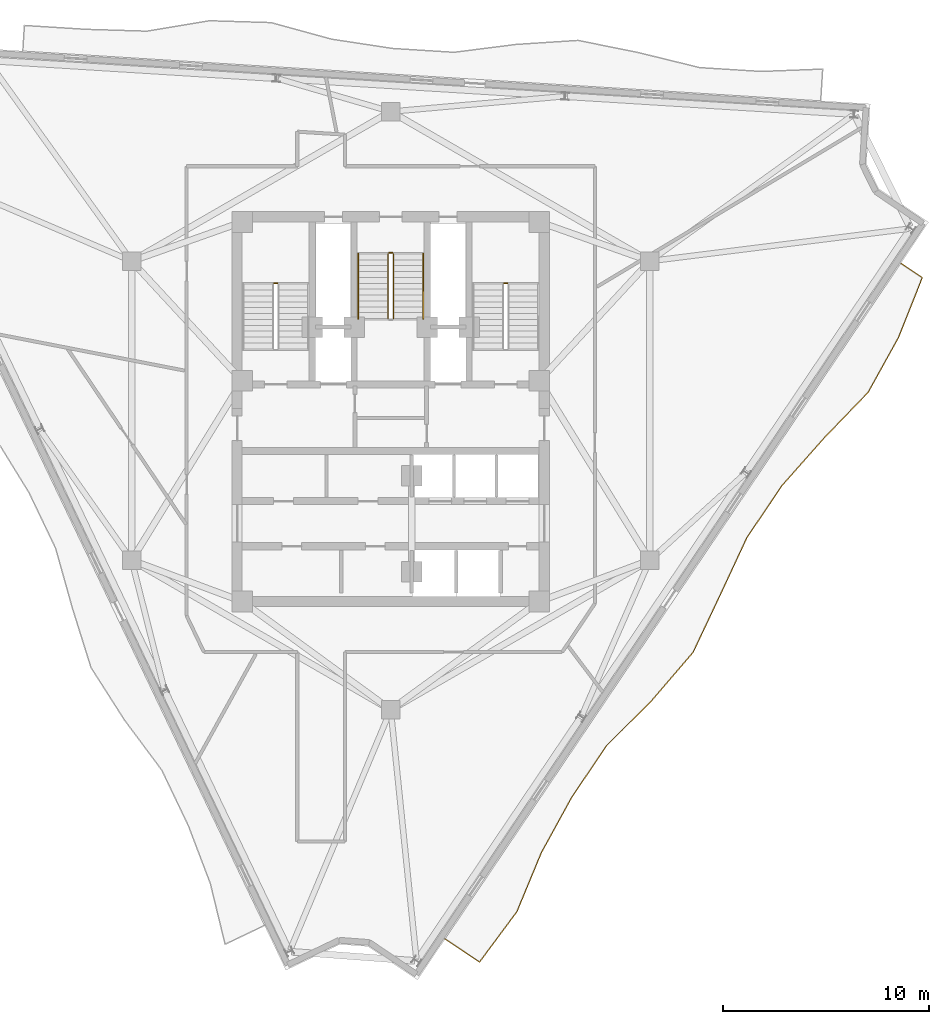
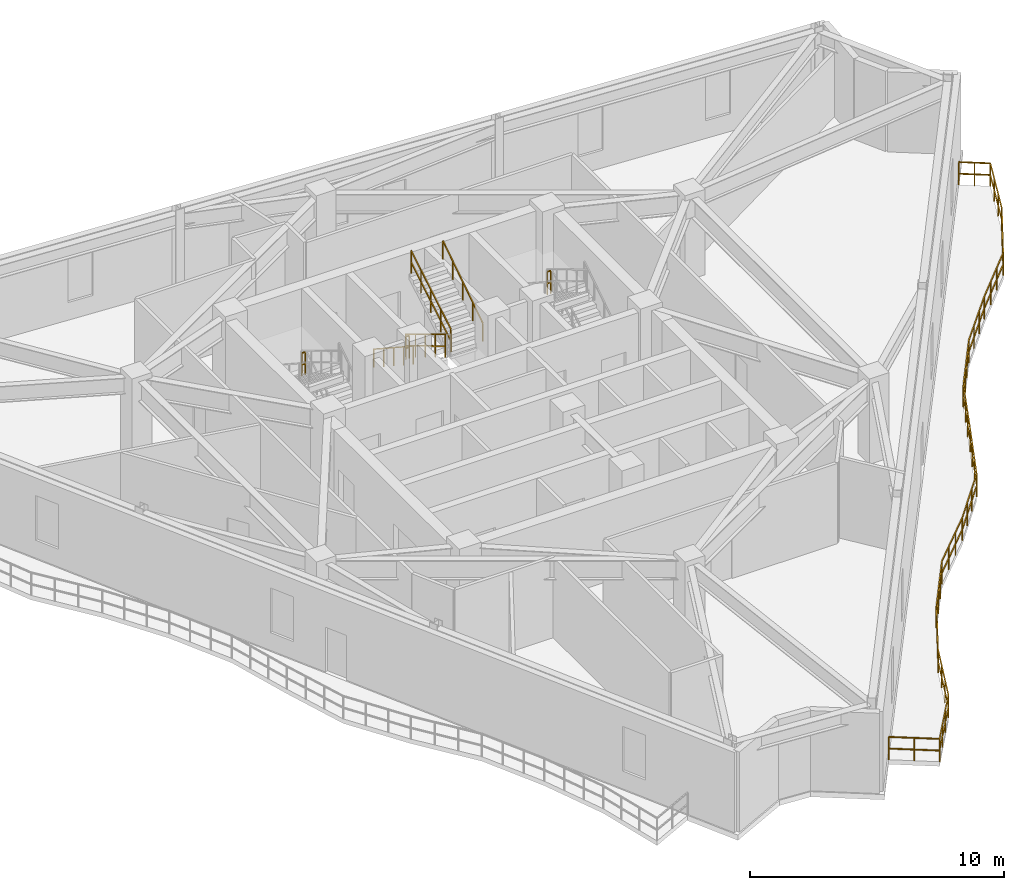
# One storey, part 9 of 10: 8 railings.
"""IFC4 building model written with IfcOpenShell, lengths in metres."""

from ifc_helpers import new_model, si_unit, direction, frame, origin, origin_2d, place, context, subcontext, project, spatial, rectangle, extrude, material, type_object, element, save


model = new_model("IFC4")

# Units and contexts
model_context = context("Model", 3, precision=1e-05, world=origin(), true_north=direction((0.0, 1.0)))
body_context = subcontext(model_context, "Body", "Model", "MODEL_VIEW")
ifc_project = project(units=[si_unit("LENGTHUNIT", "METRE"), si_unit("AREAUNIT", "SQUARE_METRE"), si_unit("VOLUMEUNIT", "CUBIC_METRE"), si_unit("PLANEANGLEUNIT", "RADIAN"), si_unit("MASSUNIT", "GRAM", prefix="KILO")], contexts=[model_context])

# Site, building, storey
site_placement = place(None, origin())
site = spatial("IfcSite", under=ifc_project, at=site_placement, CompositionType="ELEMENT")
building_placement = place(site_placement, origin())
building = spatial("IfcBuilding", under=site, at=building_placement, Name="Apsidion Concourse Tower", CompositionType="ELEMENT")
storey_placement = place(building_placement, frame((0.0, 0.0, 298.300048828125)))
storey = spatial("IfcBuildingStorey", under=building, at=storey_placement, Name="L70", CompositionType="ELEMENT", Elevation=298.300048828125)

# Railings
ifc_material = material(Name="Brushed stainless steel 316", Category="steel")
railing_type_1 = type_object("IfcRailingType", Name="RL-BAL-1120", PredefinedType="BALUSTRADE", material=ifc_material)
railing_1_placement = place(storey_placement, frame((24.735595703125, 7.147216796875, 0.0)))
element("IfcRailing", 1, at=railing_1_placement, inside=storey, type_object=railing_type_1, Name="L70 Face 2 Rippling Balcony Balustrade", PredefinedType="BALUSTRADE", context=body_context, shape_type="SweptSolid", body=[
    extrude(rectangle(XDim=0.048095703125, YDim=0.048095703125, at=origin_2d()), frame((0.0, 0.0, 1.09619140625), z_axis=(0.829002629562, -0.559244705098, 0.0), x_axis=(0.559244705098, 0.829002629562, 0.0)), (0.0, 0.0, 1.0), 1.249755859375),
    extrude(rectangle(XDim=0.048095703125, YDim=0.048095703125, at=origin_2d()), frame((0.0, 0.0, 0.5361328125), z_axis=(0.829002629562, -0.559244705098, 0.0), x_axis=(0.559244705098, 0.829002629562, 0.0)), (0.0, 0.0, 1.0), 1.249755859375),
    extrude(rectangle(XDim=0.048095703125, YDim=0.048095703125, at=origin_2d()), frame((1.0361328125, -0.698974609375, 1.09619140625), z_axis=(-0.368670137934, -0.929560288198, 0.0), x_axis=(0.929560288198, -0.368670137934, 0.0)), (0.0, 0.0, 1.0), 3.11181640625),
    extrude(rectangle(XDim=0.048095703125, YDim=0.048095703125, at=origin_2d()), frame((1.0361328125, -0.698974609375, 0.5361328125), z_axis=(-0.368670137934, -0.929560288198, 0.0), x_axis=(0.929560288198, -0.368670137934, 0.0)), (0.0, 0.0, 1.0), 3.11181640625),
    extrude(rectangle(XDim=0.048095703125, YDim=0.048095703125, at=origin_2d()), frame((-0.111083984375, -3.591552734375, 1.09619140625), z_axis=(-0.484297291497, -0.874903499507, 0.0), x_axis=(0.874903499507, -0.484297291497, 0.0)), (0.0, 0.0, 1.0), 3.051513671875),
    extrude(rectangle(XDim=0.048095703125, YDim=0.048095703125, at=origin_2d()), frame((-0.111083984375, -3.591552734375, 0.5361328125), z_axis=(-0.484297291497, -0.874903499507, 0.0), x_axis=(0.874903499507, -0.484297291497, 0.0)), (0.0, 0.0, 1.0), 3.051513671875),
    extrude(rectangle(XDim=0.048095703125, YDim=0.048095703125, at=origin_2d()), frame((-1.5888671875, -6.26123046875, 1.09619140625), z_axis=(-0.69405357776, -0.719923350919, 0.0), x_axis=(0.719923350919, -0.69405357776, 0.0)), (0.0, 0.0, 1.0), 3.0859375),
    extrude(rectangle(XDim=0.048095703125, YDim=0.048095703125, at=origin_2d()), frame((-1.5888671875, -6.26123046875, 0.5361328125), z_axis=(-0.69405357776, -0.719923350919, 0.0), x_axis=(0.719923350919, -0.69405357776, 0.0)), (0.0, 0.0, 1.0), 3.0859375),
    extrude(rectangle(XDim=0.048095703125, YDim=0.048095703125, at=origin_2d()), frame((-3.730712890625, -8.48291015625, 1.09619140625), z_axis=(-0.662755986092, -0.748835431119, 0.0), x_axis=(0.748835431119, -0.662755986092, 0.0)), (0.0, 0.0, 1.0), 3.06591796875),
    extrude(rectangle(XDim=0.048095703125, YDim=0.048095703125, at=origin_2d()), frame((-3.730712890625, -8.48291015625, 0.5361328125), z_axis=(-0.662755986092, -0.748835431119, 0.0), x_axis=(0.748835431119, -0.662755986092, 0.0)), (0.0, 0.0, 1.0), 3.06591796875),
    extrude(rectangle(XDim=0.048095703125, YDim=0.048095703125, at=origin_2d()), frame((-5.7626953125, -10.77880859375, 1.09619140625), z_axis=(-0.559214853397, -0.82902276672, 0.0), x_axis=(0.82902276672, -0.559214853397, 0.0)), (0.0, 0.0, 1.0), 3.03955078125),
    extrude(rectangle(XDim=0.048095703125, YDim=0.048095703125, at=origin_2d()), frame((-5.7626953125, -10.77880859375, 0.5361328125), z_axis=(-0.559214853397, -0.82902276672, 0.0), x_axis=(0.82902276672, -0.559214853397, 0.0)), (0.0, 0.0, 1.0), 3.03955078125),
    extrude(rectangle(XDim=0.048095703125, YDim=0.048095703125, at=origin_2d()), frame((-7.46240234375, -13.298583984375, 1.09619140625), z_axis=(-0.422420733897, -0.906399869579, 0.0), x_axis=(0.906399869579, -0.422420733897, 0.0)), (0.0, 0.0, 1.0), 3.07763671875),
    extrude(rectangle(XDim=0.048095703125, YDim=0.048095703125, at=origin_2d()), frame((-7.46240234375, -13.298583984375, 0.5361328125), z_axis=(-0.422420733897, -0.906399869579, 0.0), x_axis=(0.906399869579, -0.422420733897, 0.0)), (0.0, 0.0, 1.0), 3.07763671875),
    extrude(rectangle(XDim=0.048095703125, YDim=0.048095703125, at=origin_2d()), frame((-8.762451171875, -16.088134765625, 1.09619140625), z_axis=(-0.427318260239, -0.904101268922, 0.0), x_axis=(0.904101268922, -0.427318260239, 0.0)), (0.0, 0.0, 1.0), 3.074951171875),
    extrude(rectangle(XDim=0.048095703125, YDim=0.048095703125, at=origin_2d()), frame((-8.762451171875, -16.088134765625, 0.5361328125), z_axis=(-0.427318260239, -0.904101268922, 0.0), x_axis=(0.904101268922, -0.427318260239, 0.0)), (0.0, 0.0, 1.0), 3.074951171875),
    extrude(rectangle(XDim=0.048095703125, YDim=0.048095703125, at=origin_2d()), frame((-10.076416015625, -18.8681640625, 1.09619140625), z_axis=(-0.651027874494, -0.759053823277, 0.0), x_axis=(0.759053823277, -0.651027874494, 0.0)), (0.0, 0.0, 1.0), 3.06005859375),
    extrude(rectangle(XDim=0.048095703125, YDim=0.048095703125, at=origin_2d()), frame((-10.076416015625, -18.8681640625, 0.5361328125), z_axis=(-0.651027874494, -0.759053823277, 0.0), x_axis=(0.759053823277, -0.651027874494, 0.0)), (0.0, 0.0, 1.0), 3.06005859375),
    extrude(rectangle(XDim=0.048095703125, YDim=0.048095703125, at=origin_2d()), frame((-12.068603515625, -21.19091796875, 1.09619140625), z_axis=(-0.707933967057, -0.706278626526, 0.0), x_axis=(0.706278626526, -0.707933967057, 0.0)), (0.0, 0.0, 1.0), 3.09716796875),
    extrude(rectangle(XDim=0.048095703125, YDim=0.048095703125, at=origin_2d()), frame((-12.068603515625, -21.19091796875, 0.5361328125), z_axis=(-0.707933967057, -0.706278626526, 0.0), x_axis=(0.706278626526, -0.707933967057, 0.0)), (0.0, 0.0, 1.0), 3.09716796875),
    extrude(rectangle(XDim=0.048095703125, YDim=0.048095703125, at=origin_2d()), frame((-14.26123046875, -23.37841796875, 1.09619140625), z_axis=(-0.559214853397, -0.82902276672, 0.0), x_axis=(0.82902276672, -0.559214853397, 0.0)), (0.0, 0.0, 1.0), 3.03955078125),
    extrude(rectangle(XDim=0.048095703125, YDim=0.048095703125, at=origin_2d()), frame((-14.26123046875, -23.37841796875, 0.5361328125), z_axis=(-0.559214853397, -0.82902276672, 0.0), x_axis=(0.82902276672, -0.559214853397, 0.0)), (0.0, 0.0, 1.0), 3.03955078125),
    extrude(rectangle(XDim=0.048095703125, YDim=0.048095703125, at=origin_2d()), frame((-15.9609375, -25.898193359375, 1.09619140625), z_axis=(-0.480834594688, -0.876811320953, 0.0), x_axis=(0.876811320953, -0.480834594688, 0.0)), (0.0, 0.0, 1.0), 3.052490234375),
    extrude(rectangle(XDim=0.048095703125, YDim=0.048095703125, at=origin_2d()), frame((-15.9609375, -25.898193359375, 0.5361328125), z_axis=(-0.480834594688, -0.876811320953, 0.0), x_axis=(0.876811320953, -0.480834594688, 0.0)), (0.0, 0.0, 1.0), 3.052490234375),
    extrude(rectangle(XDim=0.048095703125, YDim=0.048095703125, at=origin_2d()), frame((-17.4287109375, -28.57470703125, 1.09619140625), z_axis=(-0.383128064307, -0.923695234555, 0.0), x_axis=(0.923695234555, -0.383128064307, 0.0)), (0.0, 0.0, 1.0), 3.101318359375),
    extrude(rectangle(XDim=0.048095703125, YDim=0.048095703125, at=origin_2d()), frame((-17.4287109375, -28.57470703125, 0.5361328125), z_axis=(-0.383128064307, -0.923695234555, 0.0), x_axis=(0.923695234555, -0.383128064307, 0.0)), (0.0, 0.0, 1.0), 3.101318359375),
    extrude(rectangle(XDim=0.048095703125, YDim=0.048095703125, at=origin_2d()), frame((-18.616943359375, -31.439453125, 1.09619140625), z_axis=(-0.595935398915, -0.803032378127, 0.0), x_axis=(0.803032378127, -0.595935398915, 0.0)), (0.0, 0.0, 1.0), 3.042724609375),
    extrude(rectangle(XDim=0.048095703125, YDim=0.048095703125, at=origin_2d()), frame((-18.616943359375, -31.439453125, 0.5361328125), z_axis=(-0.595935398915, -0.803032378127, 0.0), x_axis=(0.803032378127, -0.595935398915, 0.0)), (0.0, 0.0, 1.0), 3.042724609375),
    extrude(rectangle(XDim=0.048095703125, YDim=0.048095703125, at=origin_2d()), frame((-20.43017578125, -33.8828125, 1.09619140625), z_axis=(-0.829028905796, 0.559205752254, 0.0), x_axis=(-0.559205752254, -0.829028905796, 0.0)), (0.0, 0.0, 1.0), 2.009521484375),
    extrude(rectangle(XDim=0.048095703125, YDim=0.048095703125, at=origin_2d()), frame((-20.43017578125, -33.8828125, 0.5361328125), z_axis=(-0.829028905796, 0.559205752254, 0.0), x_axis=(-0.559205752254, -0.829028905796, 0.0)), (0.0, 0.0, 1.0), 2.009521484375),
    extrude(rectangle(XDim=0.0419921875, YDim=0.0419921875, at=origin_2d()), origin(), (0.0, 0.0, 1.0), 1.072021484375),
    extrude(rectangle(XDim=0.0419921875, YDim=0.0419921875, at=origin_2d()), frame((0.51806640625, -0.349609375, 0.0)), (0.0, 0.0, 1.0), 1.072021484375),
    extrude(rectangle(XDim=0.0419921875, YDim=0.0419921875, at=origin_2d()), frame((1.0361328125, -0.698974609375, 0.0)), (0.0, 0.0, 1.0), 1.072021484375),
    extrude(rectangle(XDim=0.0419921875, YDim=0.0419921875, at=origin_2d()), frame((0.65380859375, -1.6630859375, 0.0)), (0.0, 0.0, 1.0), 1.072021484375),
    extrude(rectangle(XDim=0.0419921875, YDim=0.0419921875, at=origin_2d()), frame((0.271240234375, -2.62744140625, 0.0)), (0.0, 0.0, 1.0), 1.072021484375),
    extrude(rectangle(XDim=0.0419921875, YDim=0.0419921875, at=origin_2d()), frame((-0.111083984375, -3.591552734375, 0.0)), (0.0, 0.0, 1.0), 1.072021484375),
    extrude(rectangle(XDim=0.0419921875, YDim=0.0419921875, at=origin_2d()), frame((-0.603759765625, -4.4814453125, 0.0)), (0.0, 0.0, 1.0), 1.072021484375),
    extrude(rectangle(XDim=0.0419921875, YDim=0.0419921875, at=origin_2d()), frame((-1.09619140625, -5.371337890625, 0.0)), (0.0, 0.0, 1.0), 1.072021484375),
    extrude(rectangle(XDim=0.0419921875, YDim=0.0419921875, at=origin_2d()), frame((-1.5888671875, -6.26123046875, 0.0)), (0.0, 0.0, 1.0), 1.072021484375),
    extrude(rectangle(XDim=0.0419921875, YDim=0.0419921875, at=origin_2d()), frame((-2.302734375, -7.001708984375, 0.0)), (0.0, 0.0, 1.0), 1.072021484375),
    extrude(rectangle(XDim=0.0419921875, YDim=0.0419921875, at=origin_2d()), frame((-3.016845703125, -7.742431640625, 0.0)), (0.0, 0.0, 1.0), 1.072021484375),
    extrude(rectangle(XDim=0.0419921875, YDim=0.0419921875, at=origin_2d()), frame((-3.730712890625, -8.48291015625, 0.0)), (0.0, 0.0, 1.0), 1.072021484375),
    extrude(rectangle(XDim=0.0419921875, YDim=0.0419921875, at=origin_2d()), frame((-4.407958984375, -9.248291015625, 0.0)), (0.0, 0.0, 1.0), 1.072021484375),
    extrude(rectangle(XDim=0.0419921875, YDim=0.0419921875, at=origin_2d()), frame((-5.08544921875, -10.013427734375, 0.0)), (0.0, 0.0, 1.0), 1.072021484375),
    extrude(rectangle(XDim=0.0419921875, YDim=0.0419921875, at=origin_2d()), frame((-5.7626953125, -10.77880859375, 0.0)), (0.0, 0.0, 1.0), 1.072021484375),
    extrude(rectangle(XDim=0.0419921875, YDim=0.0419921875, at=origin_2d()), frame((-6.329345703125, -11.61865234375, 0.0)), (0.0, 0.0, 1.0), 1.072021484375),
    extrude(rectangle(XDim=0.0419921875, YDim=0.0419921875, at=origin_2d()), frame((-6.895751953125, -12.458740234375, 0.0)), (0.0, 0.0, 1.0), 1.072021484375),
    extrude(rectangle(XDim=0.0419921875, YDim=0.0419921875, at=origin_2d()), frame((-7.46240234375, -13.298583984375, 0.0)), (0.0, 0.0, 1.0), 1.072021484375),
    extrude(rectangle(XDim=0.0419921875, YDim=0.0419921875, at=origin_2d()), frame((-7.895751953125, -14.228515625, 0.0)), (0.0, 0.0, 1.0), 1.072021484375),
    extrude(rectangle(XDim=0.0419921875, YDim=0.0419921875, at=origin_2d()), frame((-8.3291015625, -15.158203125, 0.0)), (0.0, 0.0, 1.0), 1.072021484375),
    extrude(rectangle(XDim=0.0419921875, YDim=0.0419921875, at=origin_2d()), frame((-8.762451171875, -16.088134765625, 0.0)), (0.0, 0.0, 1.0), 1.072021484375),
    extrude(rectangle(XDim=0.0419921875, YDim=0.0419921875, at=origin_2d()), frame((-9.200439453125, -17.014892578125, 0.0)), (0.0, 0.0, 1.0), 1.072021484375),
    extrude(rectangle(XDim=0.0419921875, YDim=0.0419921875, at=origin_2d()), frame((-9.638427734375, -17.94140625, 0.0)), (0.0, 0.0, 1.0), 1.072021484375),
    extrude(rectangle(XDim=0.0419921875, YDim=0.0419921875, at=origin_2d()), frame((-10.076416015625, -18.8681640625, 0.0)), (0.0, 0.0, 1.0), 1.072021484375),
    extrude(rectangle(XDim=0.0419921875, YDim=0.0419921875, at=origin_2d()), frame((-10.740478515625, -19.642333984375, 0.0)), (0.0, 0.0, 1.0), 1.072021484375),
    extrude(rectangle(XDim=0.0419921875, YDim=0.0419921875, at=origin_2d()), frame((-11.404541015625, -20.416748046875, 0.0)), (0.0, 0.0, 1.0), 1.072021484375),
    extrude(rectangle(XDim=0.0419921875, YDim=0.0419921875, at=origin_2d()), frame((-12.068603515625, -21.19091796875, 0.0)), (0.0, 0.0, 1.0), 1.072021484375),
    extrude(rectangle(XDim=0.0419921875, YDim=0.0419921875, at=origin_2d()), frame((-12.799560546875, -21.920166015625, 0.0)), (0.0, 0.0, 1.0), 1.072021484375),
    extrude(rectangle(XDim=0.0419921875, YDim=0.0419921875, at=origin_2d()), frame((-13.5302734375, -22.649169921875, 0.0)), (0.0, 0.0, 1.0), 1.072021484375),
    extrude(rectangle(XDim=0.0419921875, YDim=0.0419921875, at=origin_2d()), frame((-14.26123046875, -23.37841796875, 0.0)), (0.0, 0.0, 1.0), 1.072021484375),
    extrude(rectangle(XDim=0.0419921875, YDim=0.0419921875, at=origin_2d()), frame((-14.827880859375, -24.21826171875, 0.0)), (0.0, 0.0, 1.0), 1.072021484375),
    extrude(rectangle(XDim=0.0419921875, YDim=0.0419921875, at=origin_2d()), frame((-15.394287109375, -25.058349609375, 0.0)), (0.0, 0.0, 1.0), 1.072021484375),
    extrude(rectangle(XDim=0.0419921875, YDim=0.0419921875, at=origin_2d()), frame((-15.9609375, -25.898193359375, 0.0)), (0.0, 0.0, 1.0), 1.072021484375),
    extrude(rectangle(XDim=0.0419921875, YDim=0.0419921875, at=origin_2d()), frame((-16.4501953125, -26.790283203125, 0.0)), (0.0, 0.0, 1.0), 1.072021484375),
    extrude(rectangle(XDim=0.0419921875, YDim=0.0419921875, at=origin_2d()), frame((-16.939453125, -27.6826171875, 0.0)), (0.0, 0.0, 1.0), 1.072021484375),
    extrude(rectangle(XDim=0.0419921875, YDim=0.0419921875, at=origin_2d()), frame((-17.4287109375, -28.57470703125, 0.0)), (0.0, 0.0, 1.0), 1.072021484375),
    extrude(rectangle(XDim=0.0419921875, YDim=0.0419921875, at=origin_2d()), frame((-17.82470703125, -29.529541015625, 0.0)), (0.0, 0.0, 1.0), 1.072021484375),
    extrude(rectangle(XDim=0.0419921875, YDim=0.0419921875, at=origin_2d()), frame((-18.220947265625, -30.484619140625, 0.0)), (0.0, 0.0, 1.0), 1.072021484375),
    extrude(rectangle(XDim=0.0419921875, YDim=0.0419921875, at=origin_2d()), frame((-18.616943359375, -31.439453125, 0.0)), (0.0, 0.0, 1.0), 1.072021484375),
    extrude(rectangle(XDim=0.0419921875, YDim=0.0419921875, at=origin_2d()), frame((-19.221435546875, -32.25390625, 0.0)), (0.0, 0.0, 1.0), 1.072021484375),
    extrude(rectangle(XDim=0.0419921875, YDim=0.0419921875, at=origin_2d()), frame((-19.82568359375, -33.068359375, 0.0)), (0.0, 0.0, 1.0), 1.072021484375),
    extrude(rectangle(XDim=0.0419921875, YDim=0.0419921875, at=origin_2d()), frame((-20.43017578125, -33.8828125, 0.0)), (0.0, 0.0, 1.0), 1.072021484375),
    extrude(rectangle(XDim=0.0419921875, YDim=0.0419921875, at=origin_2d()), frame((-21.26318359375, -33.32080078125, 0.0)), (0.0, 0.0, 1.0), 1.072021484375),
    extrude(rectangle(XDim=0.0419921875, YDim=0.0419921875, at=origin_2d()), frame((-22.09619140625, -32.759033203125, 0.0)), (0.0, 0.0, 1.0), 1.072021484375),
])
railing_type_2 = type_object("IfcRailingType", Name="RL-GUARD-1100", PredefinedType="GUARDRAIL", material=ifc_material)
for number, where, name in (
    (2, (-5.5, 6.18505859375, 2.050048828125), "L70 ST1 stair guard 2"),
    (3, (5.64990234375, 6.18505859375, 2.050048828125), "L70 ST2 stair guard 2"),
):
    element("IfcRailing", number, at=place(storey_placement, frame(where)), inside=storey, type_object=railing_type_2, Name=name, PredefinedType="GUARDRAIL", context=body_context, shape_type="SweptSolid", body=[
        extrude(rectangle(XDim=0.048095703125, YDim=0.048095703125, at=origin_2d()), frame((0.0, 0.0, 1.09619140625), z_axis=(-1.0, 0.0, 0.0), x_axis=(0.0, -1.0, 0.0)), (0.0, 0.0, 1.0), 0.14990234375),
        extrude(rectangle(XDim=0.048095703125, YDim=0.048095703125, at=origin_2d()), frame((0.0, 0.0, 0.5361328125), z_axis=(-1.0, 0.0, 0.0), x_axis=(0.0, -1.0, 0.0)), (0.0, 0.0, 1.0), 0.14990234375),
        extrude(rectangle(XDim=0.0419921875, YDim=0.0419921875, at=origin_2d()), origin(), (0.0, 0.0, 1.0), 1.072021484375),
        extrude(rectangle(XDim=0.0419921875, YDim=0.0419921875, at=origin_2d()), frame((-0.14990234375, 0.0, 0.0)), (0.0, 0.0, 1.0), 1.072021484375),
    ])
railing_2_placement = place(storey_placement, frame((-0.125, 7.60009765625, 0.1708984375)))
element("IfcRailing", 4, at=railing_2_placement, inside=storey, type_object=railing_type_2, Name="L70 ST3 stair guard 1", PredefinedType="GUARDRAIL", context=body_context, shape_type="SweptSolid", body=[
    extrude(rectangle(XDim=0.048095703125, YDim=0.048095703125, at=origin_2d()), frame((0.0, 0.0, 1.09619140625), z_axis=(0.0, -0.857716804754, 0.514122439544), x_axis=(1.0, 0.0, 0.0)), (0.0, 0.0, 1.0), 3.655029296875),
    extrude(rectangle(XDim=0.048095703125, YDim=0.048095703125, at=origin_2d()), frame((0.0, 0.0, 0.5361328125), z_axis=(0.0, -0.857716804754, 0.514122439544), x_axis=(1.0, 0.0, 0.0)), (0.0, 0.0, 1.0), 3.655029296875),
    extrude(rectangle(XDim=0.0419921875, YDim=0.0419921875, at=origin_2d()), origin(), (0.0, 0.0, 1.0), 1.072021484375),
    extrude(rectangle(XDim=0.0419921875, YDim=0.0419921875, at=origin_2d()), frame((0.0, -0.78369140625, 0.4697265625)), (0.0, 0.0, 1.0), 1.072021484375),
    extrude(rectangle(XDim=0.0419921875, YDim=0.0419921875, at=origin_2d()), frame((0.0, -1.5673828125, 0.939453125)), (0.0, 0.0, 1.0), 1.072021484375),
    extrude(rectangle(XDim=0.0419921875, YDim=0.0419921875, at=origin_2d()), frame((0.0, -2.351318359375, 1.409423828125)), (0.0, 0.0, 1.0), 1.072021484375),
    extrude(rectangle(XDim=0.0419921875, YDim=0.0419921875, at=origin_2d()), frame((0.0, -3.135009765625, 1.879150390625)), (0.0, 0.0, 1.0), 1.072021484375),
])
railing_3_placement = place(storey_placement, frame((0.125, 4.465087890625, 2.220703125)))
element("IfcRailing", 5, at=railing_3_placement, inside=storey, type_object=railing_type_2, Name="L70 ST3 stair guard 3", PredefinedType="GUARDRAIL", context=body_context, shape_type="SweptSolid", body=[
    extrude(rectangle(XDim=0.048095703125, YDim=0.048095703125, at=origin_2d()), frame((0.0, 0.0, 1.09619140625), z_axis=(0.0, 0.857716804754, 0.514122439544), x_axis=(-1.0, 0.0, 0.0)), (0.0, 0.0, 1.0), 3.655029296875),
    extrude(rectangle(XDim=0.048095703125, YDim=0.048095703125, at=origin_2d()), frame((0.0, 0.0, 0.5361328125), z_axis=(0.0, 0.857716804754, 0.514122439544), x_axis=(-1.0, 0.0, 0.0)), (0.0, 0.0, 1.0), 3.655029296875),
    extrude(rectangle(XDim=0.0419921875, YDim=0.0419921875, at=origin_2d()), origin(), (0.0, 0.0, 1.0), 1.072021484375),
    extrude(rectangle(XDim=0.0419921875, YDim=0.0419921875, at=origin_2d()), frame((0.0, 0.78369140625, 0.4697265625)), (0.0, 0.0, 1.0), 1.072021484375),
    extrude(rectangle(XDim=0.0419921875, YDim=0.0419921875, at=origin_2d()), frame((0.0, 1.5673828125, 0.939453125)), (0.0, 0.0, 1.0), 1.072021484375),
    extrude(rectangle(XDim=0.0419921875, YDim=0.0419921875, at=origin_2d()), frame((0.0, 2.351318359375, 1.409423828125)), (0.0, 0.0, 1.0), 1.072021484375),
    extrude(rectangle(XDim=0.0419921875, YDim=0.0419921875, at=origin_2d()), frame((0.0, 3.135009765625, 1.879150390625)), (0.0, 0.0, 1.0), 1.072021484375),
])
railing_4_placement = place(storey_placement, frame((-0.074951171875, 7.64990234375, 0.0)))
element("IfcRailing", 6, at=railing_4_placement, inside=storey, type_object=railing_type_2, Name="L70 ST3 stair guard 4", PredefinedType="GUARDRAIL", context=body_context, shape_type="SweptSolid", body=[
    extrude(rectangle(XDim=0.048095703125, YDim=0.048095703125, at=origin_2d()), frame((0.0, 0.0, 1.09619140625), z_axis=(1.0, 0.0, 0.0), x_axis=(0.0, 1.0, 0.0)), (0.0, 0.0, 1.0), 0.14990234375),
    extrude(rectangle(XDim=0.048095703125, YDim=0.048095703125, at=origin_2d()), frame((0.0, 0.0, 0.5361328125), z_axis=(1.0, 0.0, 0.0), x_axis=(0.0, 1.0, 0.0)), (0.0, 0.0, 1.0), 0.14990234375),
    extrude(rectangle(XDim=0.0419921875, YDim=0.0419921875, at=origin_2d()), origin(), (0.0, 0.0, 1.0), 1.072021484375),
    extrude(rectangle(XDim=0.0419921875, YDim=0.0419921875, at=origin_2d()), frame((0.14990234375, 0.0, 0.0)), (0.0, 0.0, 1.0), 1.072021484375),
])
railing_type_3 = type_object("IfcRailingType", Name="RL-HAND-900", PredefinedType="HANDRAIL", material=ifc_material)
railing_5_placement = place(storey_placement, frame((-1.574951171875, 7.60009765625, 0.1708984375)))
element("IfcRailing", 7, at=railing_5_placement, inside=storey, type_object=railing_type_3, Name="L70 ST3 stair handrail 1", PredefinedType="HANDRAIL", context=body_context, shape_type="SweptSolid", body=[
    extrude(rectangle(XDim=0.048095703125, YDim=0.048095703125, at=origin_2d()), frame((0.0, 0.0, 0.8759765625), z_axis=(0.0, -0.836970762213, 0.547247606848), x_axis=(1.0, 0.0, 0.0)), (0.0, 0.0, 1.0), 3.74560546875),
    extrude(rectangle(XDim=0.0419921875, YDim=0.0419921875, at=origin_2d()), origin(), (0.0, 0.0, 1.0), 0.851806640625),
    extrude(rectangle(XDim=0.0419921875, YDim=0.0419921875, at=origin_2d()), frame((0.0, -0.78369140625, 0.512451171875)), (0.0, 0.0, 1.0), 0.851806640625),
    extrude(rectangle(XDim=0.0419921875, YDim=0.0419921875, at=origin_2d()), frame((0.0, -1.5673828125, 1.02490234375)), (0.0, 0.0, 1.0), 0.851806640625),
    extrude(rectangle(XDim=0.0419921875, YDim=0.0419921875, at=origin_2d()), frame((0.0, -2.351318359375, 1.537353515625)), (0.0, 0.0, 1.0), 0.851806640625),
    extrude(rectangle(XDim=0.0419921875, YDim=0.0419921875, at=origin_2d()), frame((0.0, -3.135009765625, 2.0498046875)), (0.0, 0.0, 1.0), 0.851806640625),
])
railing_6_placement = place(storey_placement, frame((1.574951171875, 4.465087890625, 2.220703125)))
element("IfcRailing", 8, at=railing_6_placement, inside=storey, type_object=railing_type_3, Name="L70 ST3 stair handrail 2", PredefinedType="HANDRAIL", context=body_context, shape_type="SweptSolid", body=[
    extrude(rectangle(XDim=0.048095703125, YDim=0.048095703125, at=origin_2d()), frame((0.0, 0.0, 0.8759765625), z_axis=(0.0, 0.836940907821, 0.547293263996), x_axis=(-1.0, 0.0, 0.0)), (0.0, 0.0, 1.0), 3.745849609375),
    extrude(rectangle(XDim=0.0419921875, YDim=0.0419921875, at=origin_2d()), origin(), (0.0, 0.0, 1.0), 0.851806640625),
    extrude(rectangle(XDim=0.0419921875, YDim=0.0419921875, at=origin_2d()), frame((0.0, 0.78369140625, 0.512451171875)), (0.0, 0.0, 1.0), 0.851806640625),
    extrude(rectangle(XDim=0.0419921875, YDim=0.0419921875, at=origin_2d()), frame((0.0, 1.5673828125, 1.02490234375)), (0.0, 0.0, 1.0), 0.851806640625),
    extrude(rectangle(XDim=0.0419921875, YDim=0.0419921875, at=origin_2d()), frame((0.0, 2.351318359375, 1.53759765625)), (0.0, 0.0, 1.0), 0.851806640625),
    extrude(rectangle(XDim=0.0419921875, YDim=0.0419921875, at=origin_2d()), frame((0.0, 3.135009765625, 2.050048828125)), (0.0, 0.0, 1.0), 0.851806640625),
])

save(model, "model.ifc")
